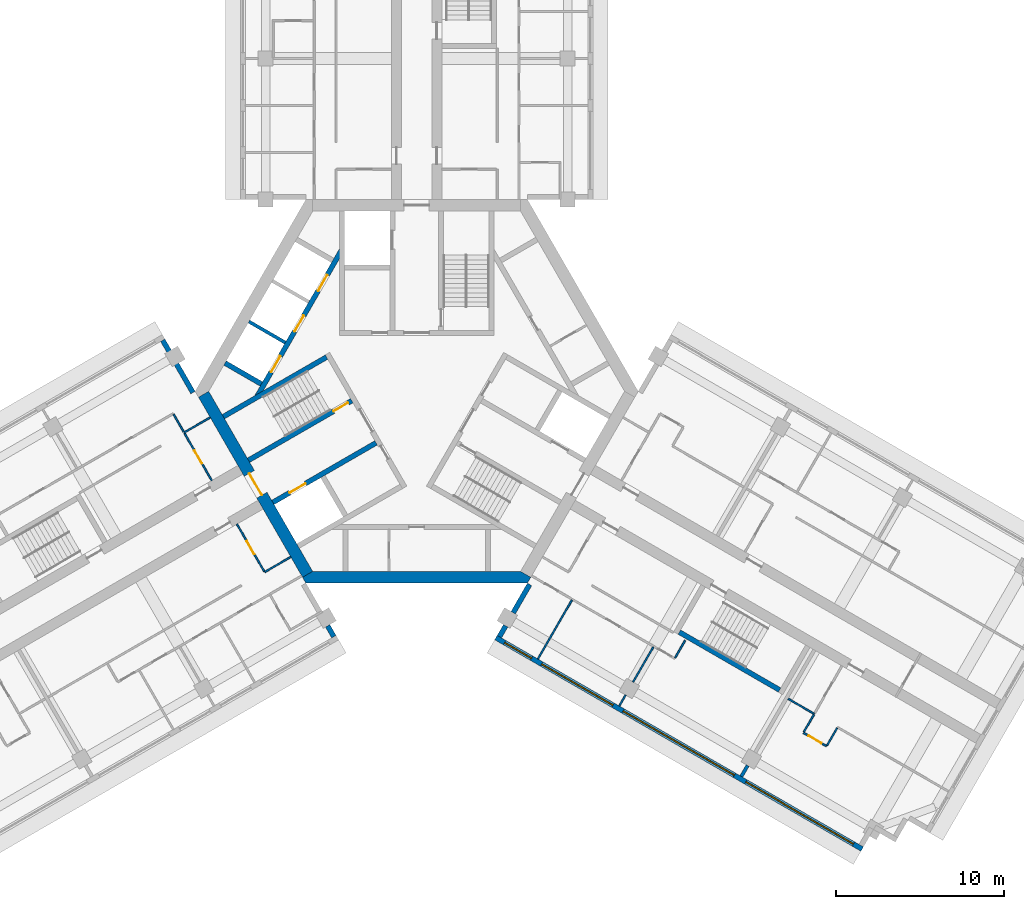
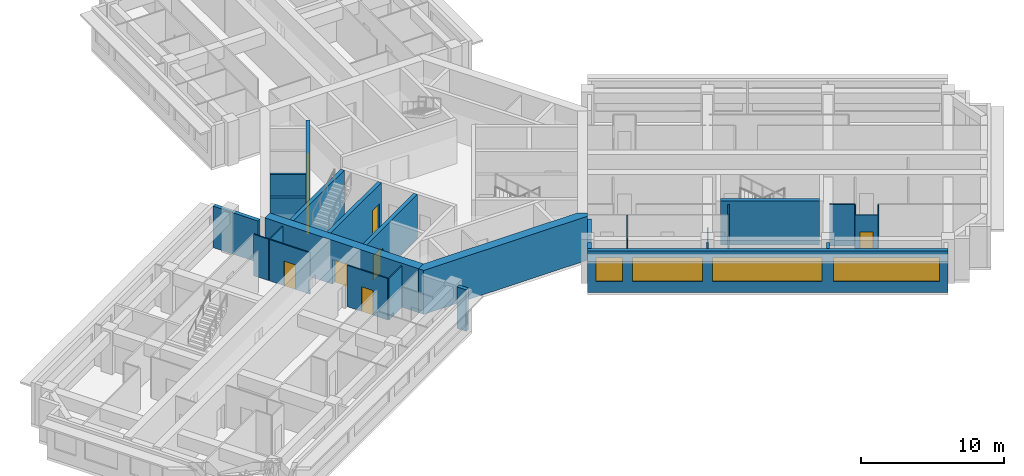
# One storey, part 4 of 10: 28 walls, 9 doors, 4 windows, 13 openings.
"""IFC4 building model written with IfcOpenShell, lengths in metres."""

import ifcopenshell
import ifcopenshell.guid

model = None  # the IFC model being written
_history = None  # IfcOwnerHistory: only IFC2X3 demands one
_inside = {}  # id of a spatial element -> (the spatial element, [elements in it])
_under = {}  # id of a project, library or spatial element -> (it, [spatial elements below it])
_declared = {}  # id of a project -> (the project, [libraries it declares])
_typed = {}  # id of a type object -> (the type object, [elements of that type])
_made_of = {}  # id of a material, layer set ... -> (it, [elements and type objects made of it])


def new_model(schema):
    """Start an empty IFC model of exactly this schema.

    Asked for "IFC4X3", IfcOpenShell would pick the latest addendum, in which some entities
    have other attributes; the version numbers below select the first issue.
    IFC2X3 requires an IfcOwnerHistory on every rooted entity: one is made here for all.
    """
    global model, _history
    if schema == "IFC4X3":
        model = ifcopenshell.file(schema_version=(4, 3, 0, 0))
    else:
        model = ifcopenshell.file(schema=schema)
    _inside.clear()
    _under.clear()
    _declared.clear()
    _typed.clear()
    _made_of.clear()
    _history = None
    if model.schema == "IFC2X3":
        org = make("IfcOrganization", Name="unknown")
        user = make(
            "IfcPersonAndOrganization",
            ThePerson=make("IfcPerson", FamilyName="unknown"),
            TheOrganization=org,
        )
        app = make(
            "IfcApplication",
            ApplicationDeveloper=org,
            Version="unknown",
            ApplicationFullName="unknown",
            ApplicationIdentifier="unknown",
        )
        _history = make(
            "IfcOwnerHistory",
            OwningUser=user,
            OwningApplication=app,
            ChangeAction="ADDED",
            CreationDate=0,
        )
    return model


def make(cls, **values):
    """One entity of the class cls with the attributes given. An attribute that is None is left unset."""
    return model.create_entity(
        cls, **{name: value for name, value in values.items() if value is not None}
    )


def rooted(cls, **values):
    """An entity with a GlobalId (a new one), such as an element, a storey or a relation."""
    return make(cls, GlobalId=ifcopenshell.guid.new(), OwnerHistory=_history, **values)


def si_unit(unit_type, name, prefix=None):
    """IfcSIUnit, for example si_unit("LENGTHUNIT", "METRE", prefix="MILLI")."""
    return make("IfcSIUnit", UnitType=unit_type, Prefix=prefix, Name=name)


def assignment(units):
    """IfcUnitAssignment: the units of a project."""
    return None if units is None else make("IfcUnitAssignment", Units=units)


def point(xyz):
    """IfcCartesianPoint."""
    return None if xyz is None else make("IfcCartesianPoint", Coordinates=xyz)


def direction(xyz):
    """IfcDirection."""
    return None if xyz is None else make("IfcDirection", DirectionRatios=xyz)


def frame(location, z_axis=None, x_axis=None):
    """IfcAxis2Placement3D, a coordinate frame: its origin and axes. An axis left out is left unset."""
    return make(
        "IfcAxis2Placement3D",
        Location=point(location),
        Axis=direction(z_axis),
        RefDirection=direction(x_axis),
    )


def frame_2d(location, x_axis=None):
    """IfcAxis2Placement2D, a coordinate frame in the plane: its origin and x axis."""
    return make(
        "IfcAxis2Placement2D", Location=point(location), RefDirection=direction(x_axis)
    )


def origin():
    """The frame at (0, 0, 0) with its axes left unset."""
    return frame((0.0, 0.0, 0.0))


def place(relative_to, where):
    """IfcLocalPlacement: puts the frame where relative to a parent placement (None: the world)."""
    return make(
        "IfcLocalPlacement", PlacementRelTo=relative_to, RelativePlacement=where
    )


def context(
    kind, dimensions, precision=None, world=None, true_north=None, identifier=None
):
    """IfcGeometricRepresentationContext, for example the 3D "Model" context."""
    return make(
        "IfcGeometricRepresentationContext",
        ContextIdentifier=identifier,
        ContextType=kind,
        CoordinateSpaceDimension=dimensions,
        Precision=precision,
        WorldCoordinateSystem=world,
        TrueNorth=true_north,
    )


def subcontext(parent, identifier, kind, view, scale=None):
    """IfcGeometricRepresentationSubContext, for example "Body" below "Model"."""
    return make(
        "IfcGeometricRepresentationSubContext",
        ContextIdentifier=identifier,
        ContextType=kind,
        ParentContext=parent,
        TargetScale=scale,
        TargetView=view,
    )


def project(units=None, contexts=None):
    """IfcProject with its units and contexts."""
    return rooted(
        "IfcProject",
        Name="project",
        RepresentationContexts=contexts,
        UnitsInContext=assignment(units),
    )


def spatial(cls, under=None, at=None, **own):
    """A site, building, storey or space (cls), placed at a placement, below another one or the project."""
    s = rooted(cls, ObjectPlacement=at, **own)
    if under is not None:
        _under.setdefault(under.id(), (under, []))[1].append(s)
    return s


def polyline(points):
    """IfcPolyline through the points."""
    return make("IfcPolyline", Points=[point(p) for p in points])


def profile(cls, at=None, kind="AREA", **sizes):
    """A parametric profile (cls). Its sizes go by their IFC names, for example OverallWidth=200.0."""
    return make(cls, ProfileType=kind, Position=at, **sizes)


def rectangle(**sizes):
    """IfcRectangleProfileDef."""
    return profile("IfcRectangleProfileDef", **sizes)


def outline(outer, holes=None, kind="AREA"):
    """IfcArbitraryClosedProfileDef: a profile drawn as a closed curve; with holes, ...WithVoids."""
    if holes is None:
        return make("IfcArbitraryClosedProfileDef", ProfileType=kind, OuterCurve=outer)
    return make(
        "IfcArbitraryProfileDefWithVoids",
        ProfileType=kind,
        OuterCurve=outer,
        InnerCurves=holes,
    )


def extrude(swept, where, along, depth):
    """IfcExtrudedAreaSolid: the profile swept, set in the frame where, extruded along a direction by depth."""
    return make(
        "IfcExtrudedAreaSolid",
        SweptArea=swept,
        Position=where,
        ExtrudedDirection=direction(along),
        Depth=depth,
    )


def shape(context_of_items, identifier, shape_type, items):
    """IfcShapeRepresentation: the items that make up one representation, for example the "Body"."""
    return make(
        "IfcShapeRepresentation",
        ContextOfItems=context_of_items,
        RepresentationIdentifier=identifier,
        RepresentationType=shape_type,
        Items=items,
    )


def material(Name=None, Category=None):
    """IfcMaterial."""
    return make("IfcMaterial", Name=Name, Category=Category)


def layer(
    of_material, thickness, ventilated=None, Name=None, Category=None, Priority=None
):
    """IfcMaterialLayer: one layer of a wall or slab, of a material (None: an air gap)."""
    return make(
        "IfcMaterialLayer",
        Material=of_material,
        LayerThickness=thickness,
        IsVentilated=ventilated,
        Name=Name,
        Category=Category,
        Priority=Priority,
    )


def layer_set(layers, Name=None):
    """IfcMaterialLayerSet."""
    return make("IfcMaterialLayerSet", MaterialLayers=layers, LayerSetName=Name)


def made_of(thing, what):
    """Note that an element or type object is made of a material, layer set ...; save() writes the relation."""
    if what is not None:
        _made_of.setdefault(what.id(), (what, []))[1].append(thing)
    return thing


def type_object(cls, material=None, **own):
    """A type object (cls), such as IfcWallType, which elements share."""
    return made_of(rooted(cls, **own), material)


def element(
    cls,
    number,
    at=None,
    inside=None,
    cuts=None,
    type_object=None,
    material=None,
    context=None,
    identifier="Body",
    shape_type=None,
    held_by="IfcProductDefinitionShape",
    body=None,
    shapes=None,
    **own,
):
    """One element of the class cls, such as IfcWall. Its Tag is "e" and its number.

    at: its placement. inside: the storey or other place that contains it. cuts: it is an
    opening in that element (IfcRelVoidsElement). A single representation is given by context,
    identifier, shape_type and body (its items); several are given by shapes. held_by: the class
    of the entity that holds the representations. save() writes the other relations.
    """
    e = rooted(cls, Tag="e%d" % number, ObjectPlacement=at, **own)
    if body is not None:
        shapes = [shape(context, identifier, shape_type, body)]
    if shapes is not None:
        e.Representation = make(held_by, Representations=shapes)
    if inside is not None:
        _inside.setdefault(inside.id(), (inside, []))[1].append(e)
    if cuts is not None:
        rooted(
            "IfcRelVoidsElement", RelatingBuildingElement=cuts, RelatedOpeningElement=e
        )
    if type_object is not None:
        _typed.setdefault(type_object.id(), (type_object, []))[1].append(e)
    return made_of(e, material)


def fill(opening, filler):
    """IfcRelFillsElement: the door or window that sits in an opening."""
    return rooted(
        "IfcRelFillsElement",
        RelatingOpeningElement=opening,
        RelatedBuildingElement=filler,
    )


def aggregate(whole, parts):
    """IfcRelAggregates: a whole, such as a stair, and the parts it consists of."""
    return rooted("IfcRelAggregates", RelatingObject=whole, RelatedObjects=parts)


def save(model, path):
    """Write the relations noted so far, then the file.

    IfcRelAggregates (storeys below a building ...), IfcRelContainedInSpatialStructure (elements
    in a storey), IfcRelDefinesByType, IfcRelAssociatesMaterial and IfcRelDeclares: one each for
    every whole, place, type object, material and project.
    """
    for whole, parts in _under.values():
        aggregate(whole, parts)
    for where, things in _inside.values():
        rooted(
            "IfcRelContainedInSpatialStructure",
            RelatedElements=things,
            RelatingStructure=where,
        )
    for kind, things in _typed.values():
        rooted("IfcRelDefinesByType", RelatedObjects=things, RelatingType=kind)
    for what, things in _made_of.values():
        rooted("IfcRelAssociatesMaterial", RelatedObjects=things, RelatingMaterial=what)
    for by, libraries in _declared.values():
        rooted("IfcRelDeclares", RelatingContext=by, RelatedDefinitions=libraries)
    model.write(path)


model = new_model("IFC4")

# Units and contexts
model_context = context("Model", 3, precision=1e-05, world=origin(), true_north=direction((0.0, 1.0)))
body_context = subcontext(model_context, "Body", "Model", "MODEL_VIEW")
ifc_project = project(units=[si_unit("LENGTHUNIT", "METRE"), si_unit("AREAUNIT", "SQUARE_METRE"), si_unit("VOLUMEUNIT", "CUBIC_METRE"), si_unit("PLANEANGLEUNIT", "RADIAN"), si_unit("MASSUNIT", "GRAM", prefix="KILO")], contexts=[model_context])

# Site, building, storey
site_placement = place(None, origin())
site = spatial("IfcSite", under=ifc_project, at=site_placement, CompositionType="ELEMENT")
building_placement = place(site_placement, origin())
building = spatial("IfcBuilding", under=site, at=building_placement, Name="Impinga Residences", CompositionType="ELEMENT")
storey_placement = place(building_placement, frame((0.0, 0.0, 196.0)))
storey = spatial("IfcBuildingStorey", under=building, at=storey_placement, Name="L48", CompositionType="ELEMENT", Elevation=196.0)

# Wall
ifc_material_1 = material(Name="Terracotta rainscreen on blockwork", Category="masonry")
ifc_layer_1 = layer(ifc_material_1, 0.300048828125)
ifc_layer_set_1 = layer_set([ifc_layer_1], Name="EW1 external wall, terracotta rainscreen on blockwork 300")
wall_type_1 = type_object("IfcWallType", Name="EW1 external wall, terracotta rainscreen on blockwork 300", PredefinedType="SOLIDWALL", material=ifc_layer_set_1)
wall_1_placement = place(storey_placement, frame((-15.1298828125, 3.042724609375, 0.0), z_axis=(0.0, 0.0, 1.0), x_axis=(0.500012057535, -0.866018442252, 0.0)))
element("IfcWall", 1, at=wall_1_placement, inside=storey, type_object=wall_type_1, Name="External wall EW1 L48", PredefinedType="SOLIDWALL", context=body_context, shape_type="SweptSolid", body=[
    extrude(rectangle(XDim=3.60009765625, YDim=0.300048828125, at=frame_2d((1.800048828125, 0.0))), origin(), (0.0, 0.0, 1.0), 3.530029296875),
])

# Wall, openings, windows
wall_2_placement = place(storey_placement, frame((26.548828125, -27.279052734375, 0.0), z_axis=(0.0, 0.0, 1.0), x_axis=(-0.866026832479, 0.499997525421, 0.0)))
wall_2 = element("IfcWall", 2, at=wall_2_placement, inside=storey, type_object=wall_type_1, Name="External wall EW1 L48", PredefinedType="SOLIDWALL", context=body_context, shape_type="SweptSolid", body=[
    extrude(rectangle(XDim=25.199951171875, YDim=0.300048828125, at=frame_2d((12.60009765625, 0.0))), origin(), (0.0, 0.0, 1.0), 3.530029296875),
])
opening_1_placement = place(wall_2_placement, frame((0.60009765625, 0.0, 0.89990234375)))
opening_1 = element("IfcOpeningElement", 3, at=opening_1_placement, cuts=wall_2, Name="Opening W12", PredefinedType="OPENING", context=body_context, shape_type="SweptSolid", body=[
    extrude(rectangle(XDim=7.39990234375, YDim=2.050048828125, at=frame_2d((3.699951171875, 1.02490234375))), frame((0.0, 0.159912109375, 0.0), z_axis=(0.0, -1.0, 0.0), x_axis=(1.0, 0.0, 0.0)), (0.0, 0.0, 1.0), 0.320068359375),
])
opening_2_placement = place(wall_2_placement, frame((8.800048828125, 0.0, 0.89990234375)))
opening_2 = element("IfcOpeningElement", 4, at=opening_2_placement, cuts=wall_2, Name="Opening W13", PredefinedType="OPENING", context=body_context, shape_type="SweptSolid", body=[
    extrude(rectangle(XDim=7.64990234375, YDim=2.050048828125, at=frame_2d((3.824951171875, 1.02490234375))), frame((0.0, 0.159912109375, 0.0), z_axis=(0.0, -1.0, 0.0), x_axis=(1.0, 0.0, 0.0)), (0.0, 0.0, 1.0), 0.320068359375),
])
opening_3_placement = place(wall_2_placement, frame((17.14990234375, 0.0, 0.89990234375)))
opening_3 = element("IfcOpeningElement", 5, at=opening_3_placement, cuts=wall_2, Name="Opening W16", PredefinedType="OPENING", context=body_context, shape_type="SweptSolid", body=[
    extrude(rectangle(XDim=4.89990234375, YDim=2.050048828125, at=frame_2d((2.449951171875, 1.02490234375))), frame((0.0, 0.159912109375, 0.0), z_axis=(0.0, -1.0, 0.0), x_axis=(1.0, 0.0, 0.0)), (0.0, 0.0, 1.0), 0.320068359375),
])
opening_4_placement = place(wall_2_placement, frame((22.75, 0.0, 0.89990234375)))
opening_4 = element("IfcOpeningElement", 6, at=opening_4_placement, cuts=wall_2, Name="Opening W15", PredefinedType="OPENING", context=body_context, shape_type="SweptSolid", body=[
    extrude(rectangle(XDim=1.85009765625, YDim=2.050048828125, at=frame_2d((0.925048828125, 1.02490234375))), frame((0.0, 0.159912109375, 0.0), z_axis=(0.0, -1.0, 0.0), x_axis=(1.0, 0.0, 0.0)), (0.0, 0.0, 1.0), 0.320068359375),
])
ifc_material_2 = material(Name="Aluminium window, clear double glazing", Category="aluminium")
window_type_1 = type_object("IfcWindowType", Name="W12 ribbon window 7400x2050", PartitioningType="SINGLE_PANEL", PredefinedType="WINDOW", material=ifc_material_2)
window_1_placement = place(opening_1_placement, origin())
window_1 = element("IfcWindow", 7, at=window_1_placement, inside=storey, type_object=window_type_1, Name="Window L48", OverallHeight=2.050048828125, OverallWidth=7.39990234375, PartitioningType="SINGLE_PANEL", PredefinedType="WINDOW", context=body_context, shape_type="SweptSolid", body=[
    extrude(rectangle(XDim=7.39990234375, YDim=2.050048828125, at=frame_2d((3.699951171875, 1.02490234375))), frame((0.0, 0.030029296875, 0.0), z_axis=(0.0, -1.0, 0.0), x_axis=(1.0, 0.0, 0.0)), (0.0, 0.0, 1.0), 0.06005859375),
])
fill(opening_1, window_1)
window_type_2 = type_object("IfcWindowType", Name="W13 ribbon window 7650x2050", PartitioningType="SINGLE_PANEL", PredefinedType="WINDOW", material=ifc_material_2)
window_2_placement = place(opening_2_placement, origin())
window_2 = element("IfcWindow", 8, at=window_2_placement, inside=storey, type_object=window_type_2, Name="Window L48", OverallHeight=2.050048828125, OverallWidth=7.64990234375, PartitioningType="SINGLE_PANEL", PredefinedType="WINDOW", context=body_context, shape_type="SweptSolid", body=[
    extrude(rectangle(XDim=7.64990234375, YDim=2.050048828125, at=frame_2d((3.824951171875, 1.02490234375))), frame((0.0, 0.030029296875, 0.0), z_axis=(0.0, -1.0, 0.0), x_axis=(1.0, 0.0, 0.0)), (0.0, 0.0, 1.0), 0.06005859375),
])
fill(opening_2, window_2)
window_type_3 = type_object("IfcWindowType", Name="W15 ribbon window 1850x2050", PartitioningType="SINGLE_PANEL", PredefinedType="WINDOW", material=ifc_material_2)
window_3_placement = place(opening_4_placement, origin())
window_3 = element("IfcWindow", 9, at=window_3_placement, inside=storey, type_object=window_type_3, Name="Window L48", OverallHeight=2.050048828125, OverallWidth=1.85009765625, PartitioningType="SINGLE_PANEL", PredefinedType="WINDOW", context=body_context, shape_type="SweptSolid", body=[
    extrude(rectangle(XDim=1.85009765625, YDim=2.050048828125, at=frame_2d((0.925048828125, 1.02490234375))), frame((0.0, 0.030029296875, 0.0), z_axis=(0.0, -1.0, 0.0), x_axis=(1.0, 0.0, 0.0)), (0.0, 0.0, 1.0), 0.06005859375),
])
fill(opening_4, window_3)
window_type_4 = type_object("IfcWindowType", Name="W16 ribbon window 4900x2050", PartitioningType="SINGLE_PANEL", PredefinedType="WINDOW", material=ifc_material_2)
window_4_placement = place(opening_3_placement, origin())
window_4 = element("IfcWindow", 10, at=window_4_placement, inside=storey, type_object=window_type_4, Name="Window L48", OverallHeight=2.050048828125, OverallWidth=4.89990234375, PartitioningType="SINGLE_PANEL", PredefinedType="WINDOW", context=body_context, shape_type="SweptSolid", body=[
    extrude(rectangle(XDim=4.89990234375, YDim=2.050048828125, at=frame_2d((2.449951171875, 1.02490234375))), frame((0.0, 0.030029296875, 0.0), z_axis=(0.0, -1.0, 0.0), x_axis=(1.0, 0.0, 0.0)), (0.0, 0.0, 1.0), 0.06005859375),
])
fill(opening_3, window_4)

# Walls
wall_3_placement = place(storey_placement, frame((4.929931640625, -14.624267578125, 0.0), z_axis=(0.0, 0.0, 1.0), x_axis=(0.499919672301, 0.866071776036, 0.0)))
element("IfcWall", 11, at=wall_3_placement, inside=storey, type_object=wall_type_1, Name="External wall EW1 L48", PredefinedType="SOLIDWALL", context=body_context, shape_type="SweptSolid", body=[
    extrude(rectangle(XDim=0.75, YDim=0.300048828125, at=frame_2d((0.375, 0.0))), origin(), (0.0, 0.0, 1.0), 3.530029296875),
])
wall_4_placement = place(storey_placement, frame((5.7548828125, -13.1953125, 0.0), z_axis=(0.0, 0.0, 1.0), x_axis=(0.500043961785, 0.866000020948, 0.0)))
element("IfcWall", 12, at=wall_4_placement, inside=storey, type_object=wall_type_1, Name="External wall EW1 L48", PredefinedType="SOLIDWALL", context=body_context, shape_type="SweptSolid", body=[
    extrude(rectangle(XDim=1.949951171875, YDim=0.300048828125, at=frame_2d((0.97509765625, 0.0))), origin(), (0.0, 0.0, 1.0), 3.530029296875),
])
wall_5_placement = place(storey_placement, frame((-5.304931640625, -13.974609375, 0.0), z_axis=(0.0, 0.0, 1.0), x_axis=(0.499919672301, -0.866071776036, 0.0)))
element("IfcWall", 13, at=wall_5_placement, inside=storey, type_object=wall_type_1, Name="External wall EW1 L48", PredefinedType="SOLIDWALL", context=body_context, shape_type="SweptSolid", body=[
    extrude(rectangle(XDim=0.75, YDim=0.300048828125, at=frame_2d((0.375, 0.0))), origin(), (0.0, 0.0, 1.0), 3.530029296875),
])
ifc_material_3 = material(Name="Gypsum board on steel studs", Category="steel")
ifc_layer_2 = layer(ifc_material_3, 0.10009765625)
ifc_layer_set_2 = layer_set([ifc_layer_2], Name="Gypsum board on steel studs")
wall_type_2 = type_object("IfcWallType", Name="IP1 partition 100", PredefinedType="PARTITIONING", material=ifc_layer_set_2)
wall_6_placement = place(storey_placement, frame((-7.5, -9.872802734375, 0.0), z_axis=(0.0, 0.0, 1.0), x_axis=(-0.866047807691, -0.499961193289, 0.0)))
element("IfcWall", 14, at=wall_6_placement, inside=storey, type_object=wall_type_2, Name="Partition L48-WA1:DIV0", PredefinedType="PARTITIONING", context=body_context, shape_type="SweptSolid", body=[
    extrude(rectangle(XDim=1.800048828125, YDim=0.10009765625, at=frame_2d((0.89990234375, 0.0))), origin(), (0.0, 0.0, 1.0), 3.530029296875),
])

# Wall, opening, door
wall_7_placement = place(storey_placement, frame((-10.708740234375, -7.914794921875, 0.0), z_axis=(0.0, 0.0, 1.0), x_axis=(0.499984717929, -0.866034226713, 0.0)))
wall_7 = element("IfcWall", 15, at=wall_7_placement, inside=storey, type_object=wall_type_2, Name="Partition L48-WA1:IB1", PredefinedType="PARTITIONING", context=body_context, shape_type="SweptSolid", body=[
    extrude(rectangle(XDim=3.25, YDim=0.10009765625, at=frame_2d((1.625, 0.0))), origin(), (0.0, 0.0, 1.0), 3.530029296875),
])
opening_5_placement = place(wall_7_placement, frame((1.175048828125, 0.0, 0.0)))
opening_5 = element("IfcOpeningElement", 16, at=opening_5_placement, cuts=wall_7, Name="Opening D2", PredefinedType="OPENING", context=body_context, shape_type="SweptSolid", body=[
    extrude(rectangle(XDim=0.89990234375, YDim=2.10009765625, at=frame_2d((0.449951171875, 1.050048828125))), frame((0.0, 0.06005859375, 0.0), z_axis=(0.0, -1.0, 0.0), x_axis=(1.0, 0.0, 0.0)), (0.0, 0.0, 1.0), 0.1201171875),
])
ifc_material_4 = material(Name="Timber door set", Category="wood")
door_type_1 = type_object("IfcDoorType", Name="D2 internal door 900x2100", OperationType="SINGLE_SWING_LEFT", PredefinedType="DOOR", material=ifc_material_4)
door_1_placement = place(opening_5_placement, origin())
door_1 = element("IfcDoor", 17, at=door_1_placement, inside=storey, type_object=door_type_1, Name="Apartment L48-WA1 bathroom door", OperationType="SINGLE_SWING_LEFT", OverallHeight=2.10009765625, OverallWidth=0.89990234375, PredefinedType="DOOR", context=body_context, shape_type="SweptSolid", body=[
    extrude(rectangle(XDim=0.89990234375, YDim=2.10009765625, at=frame_2d((0.449951171875, 1.050048828125))), frame((0.0, 0.02490234375, 0.0), z_axis=(0.0, -1.0, 0.0), x_axis=(1.0, 0.0, 0.0)), (0.0, 0.0, 1.0), 0.050048828125),
])
fill(opening_5, door_1)

# Walls
wall_8_placement = place(storey_placement, frame((-12.300048828125, -1.558837890625, 0.0), z_axis=(0.0, 0.0, 1.0), x_axis=(-0.866047807691, -0.499961193289, 0.0)))
element("IfcWall", 18, at=wall_8_placement, inside=storey, type_object=wall_type_2, Name="Partition L48-WF1:DIV0", PredefinedType="PARTITIONING", context=body_context, shape_type="SweptSolid", body=[
    extrude(rectangle(XDim=1.800048828125, YDim=0.10009765625, at=frame_2d((0.89990234375, 0.0))), origin(), (0.0, 0.0, 1.0), 3.530029296875),
])
wall_9_placement = place(storey_placement, frame((-13.8837890625, -2.41552734375, 0.0), z_axis=(0.0, 0.0, 1.0), x_axis=(-0.500033551112, 0.866006032174, 0.0)))
element("IfcWall", 19, at=wall_9_placement, inside=storey, type_object=wall_type_2, Name="Partition L48-WF1:SE0", PredefinedType="PARTITIONING", context=body_context, shape_type="SweptSolid", body=[
    extrude(rectangle(XDim=1.2001953125, YDim=0.10009765625, at=frame_2d((0.60009765625, 0.0))), origin(), (0.0, 0.0, 1.0), 3.530029296875),
])

# Wall, opening, door
wall_10_placement = place(storey_placement, frame((-12.208740234375, -5.316650390625, 0.0), z_axis=(0.0, 0.0, 1.0), x_axis=(-0.500017246033, 0.866015446554, 0.0)))
wall_10 = element("IfcWall", 20, at=wall_10_placement, inside=storey, type_object=wall_type_2, Name="Partition L48-WF1:IB1", PredefinedType="PARTITIONING", context=body_context, shape_type="SweptSolid", body=[
    extrude(rectangle(XDim=3.25, YDim=0.10009765625, at=frame_2d((1.625, 0.0))), origin(), (0.0, 0.0, 1.0), 3.530029296875),
])
opening_6_placement = place(wall_10_placement, frame((1.175048828125, 0.0, 0.0)))
opening_6 = element("IfcOpeningElement", 21, at=opening_6_placement, cuts=wall_10, Name="Opening D2", PredefinedType="OPENING", context=body_context, shape_type="SweptSolid", body=[
    extrude(rectangle(XDim=0.89990234375, YDim=2.10009765625, at=frame_2d((0.449951171875, 1.050048828125))), frame((0.0, 0.06005859375, 0.0), z_axis=(0.0, -1.0, 0.0), x_axis=(1.0, 0.0, 0.0)), (0.0, 0.0, 1.0), 0.1201171875),
])
door_2_placement = place(opening_6_placement, origin())
door_2 = element("IfcDoor", 22, at=door_2_placement, inside=storey, type_object=door_type_1, Name="Apartment L48-WF1 bathroom door", OperationType="SINGLE_SWING_LEFT", OverallHeight=2.10009765625, OverallWidth=0.89990234375, PredefinedType="DOOR", context=body_context, shape_type="SweptSolid", body=[
    extrude(rectangle(XDim=0.89990234375, YDim=2.10009765625, at=frame_2d((0.449951171875, 1.050048828125))), frame((0.0, 0.02490234375, 0.0), z_axis=(0.0, -1.0, 0.0), x_axis=(1.0, 0.0, 0.0)), (0.0, 0.0, 1.0), 0.050048828125),
])
fill(opening_6, door_2)

# Walls
wall_11_placement = place(storey_placement, frame((16.00537109375, -14.841064453125, 0.0), z_axis=(0.0, 0.0, 1.0), x_axis=(-0.50012165622, -0.865955154139, 0.0)))
element("IfcWall", 23, at=wall_11_placement, inside=storey, type_object=wall_type_2, Name="Partition L48-EF1:SE1", PredefinedType="PARTITIONING", context=body_context, shape_type="SweptSolid", body=[
    extrude(rectangle(XDim=1.199951171875, YDim=0.10009765625, at=frame_2d((0.60009765625, 0.0))), origin(), (0.0, 0.0, 1.0), 3.530029296875),
])
wall_12_placement = place(storey_placement, frame((9.249755859375, -12.44189453125, 0.0), z_axis=(0.0, 0.0, 1.0), x_axis=(-0.499990325971, -0.866030989016, 0.0)))
element("IfcWall", 24, at=wall_12_placement, inside=storey, type_object=wall_type_2, Name="Partition L48-EF1:OB1", PredefinedType="PARTITIONING", context=body_context, shape_type="SweptSolid", body=[
    extrude(rectangle(XDim=4.0498046875, YDim=0.10009765625, at=frame_2d((2.02490234375, 0.0))), origin(), (0.0, 0.0, 1.0), 3.530029296875),
])
wall_13_placement = place(storey_placement, frame((14.099609375, -15.241943359375, 0.0), z_axis=(0.0, 0.0, 1.0), x_axis=(-0.500001309137, -0.866024647952, 0.0)))
element("IfcWall", 25, at=wall_13_placement, inside=storey, type_object=wall_type_2, Name="Partition L48-EF1:OB2", PredefinedType="PARTITIONING", context=body_context, shape_type="SweptSolid", body=[
    extrude(rectangle(XDim=2.39990234375, YDim=0.10009765625, at=frame_2d((1.199951171875, 0.0))), origin(), (0.0, 0.0, 1.0), 2.47998046875),
])
wall_14_placement = place(storey_placement, frame((12.44970703125, -18.099609375, 0.0), z_axis=(0.0, 0.0, 1.0), x_axis=(-0.499919672301, -0.866071776036, 0.0)))
element("IfcWall", 26, at=wall_14_placement, inside=storey, type_object=wall_type_2, Name="Partition L48-EF1:OB2b", PredefinedType="PARTITIONING", context=body_context, shape_type="SweptSolid", body=[
    extrude(rectangle(XDim=0.75, YDim=0.10009765625, at=frame_2d((0.375, 0.0))), origin(), (0.0, 0.0, 1.0), 3.530029296875),
])
wall_15_placement = place(storey_placement, frame((22.1357421875, -18.32275390625, 0.0), z_axis=(0.0, 0.0, 1.0), x_axis=(0.866047807691, -0.499961193289, 0.0)))
element("IfcWall", 27, at=wall_15_placement, inside=storey, type_object=wall_type_2, Name="Partition L48-EF2:DIV0", PredefinedType="PARTITIONING", context=body_context, shape_type="SweptSolid", body=[
    extrude(rectangle(XDim=1.800048828125, YDim=0.10009765625, at=frame_2d((0.89990234375, 0.0))), origin(), (0.0, 0.0, 1.0), 3.530029296875),
])

# Wall, opening, door
wall_16_placement = place(storey_placement, frame((23.044677734375, -20.3486328125, 0.0), z_axis=(0.0, 0.0, 1.0), x_axis=(0.866094119867, -0.499880961361, 0.0)))
wall_16 = element("IfcWall", 28, at=wall_16_placement, inside=storey, type_object=wall_type_2, Name="Partition L48-EF2:STRIP", PredefinedType="PARTITIONING", context=body_context, shape_type="SweptSolid", body=[
    extrude(rectangle(XDim=1.60009765625, YDim=0.10009765625, at=frame_2d((0.800048828125, 0.0))), origin(), (0.0, 0.0, 1.0), 3.530029296875),
])
opening_7_placement = place(wall_16_placement, frame((0.35009765625, 0.0, 0.0)))
opening_7 = element("IfcOpeningElement", 29, at=opening_7_placement, cuts=wall_16, Name="Opening D2", PredefinedType="OPENING", context=body_context, shape_type="SweptSolid", body=[
    extrude(rectangle(XDim=0.89990234375, YDim=2.10009765625, at=frame_2d((0.449951171875, 1.050048828125))), frame((0.0, 0.06005859375, 0.0), z_axis=(0.0, -1.0, 0.0), x_axis=(1.0, 0.0, 0.0)), (0.0, 0.0, 1.0), 0.1201171875),
])
door_3_placement = place(opening_7_placement, origin())
door_3 = element("IfcDoor", 30, at=door_3_placement, inside=storey, type_object=door_type_1, Name="Apartment L48-EF2 room door", OperationType="SINGLE_SWING_LEFT", OverallHeight=2.10009765625, OverallWidth=0.89990234375, PredefinedType="DOOR", context=body_context, shape_type="SweptSolid", body=[
    extrude(rectangle(XDim=0.89990234375, YDim=2.10009765625, at=frame_2d((0.449951171875, 1.050048828125))), frame((0.0, 0.02490234375, 0.0), z_axis=(0.0, -1.0, 0.0), x_axis=(1.0, 0.0, 0.0)), (0.0, 0.0, 1.0), 0.050048828125),
])
fill(opening_7, door_3)

# Walls
for number, where, z_axis, x_axis, name in (
    (31, (23.669677734375, -19.265869140625, 0.0), (0.0, 0.0, 1.0), (-0.500033551112, -0.866006032174, 0.0), "Partition L48-EF2:SE0"),
    (32, (25.055419921875, -20.06591796875, 0.0), (0.0, 0.0, 1.0), (-0.500033551112, -0.866006032174, 0.0), "Partition L48-EF2:SE1"),
):
    element("IfcWall", number, at=place(storey_placement, frame(where, z_axis=z_axis, x_axis=x_axis)), inside=storey, type_object=wall_type_2, Name=name, PredefinedType="PARTITIONING", context=body_context, shape_type="SweptSolid", body=[
        extrude(rectangle(XDim=1.2001953125, YDim=0.10009765625, at=frame_2d((0.60009765625, 0.0))), origin(), (0.0, 0.0, 1.0), 3.530029296875),
    ])
ifc_material_5 = material(Name="Concrete blockwork", Category="masonry")
ifc_layer_3 = layer(ifc_material_5, 0.199951171875)
ifc_layer_set_3 = layer_set([ifc_layer_3], Name="PW1 party wall between apartments 200")
wall_type_3 = type_object("IfcWallType", Name="PW1 party wall between apartments 200", PredefinedType="SOLIDWALL", material=ifc_layer_set_3)
wall_17_placement = place(storey_placement, frame((19.72412109375, -22.2998046875, 0.0), z_axis=(0.0, 0.0, 1.0), x_axis=(-0.500060622324, -0.86599040064, 0.0)))
element("IfcWall", 33, at=wall_17_placement, inside=storey, type_object=wall_type_3, Name="Party wall between apartments L48-EF1:PARTYb", PredefinedType="SOLIDWALL", context=body_context, shape_type="SweptSolid", body=[
    extrude(rectangle(XDim=0.75, YDim=0.199951171875, at=frame_2d((0.375, 0.0))), origin(), (0.0, 0.0, 1.0), 3.530029296875),
])
ifc_material_6 = material(Name="Concrete C60/75", Category="concrete")
ifc_layer_4 = layer(ifc_material_6, 0.300048828125)
ifc_layer_set_4 = layer_set([ifc_layer_4], Name="Concrete C60/75")
wall_type_4 = type_object("IfcWallType", Name="SE1 wing stair enclosure wall 300", PredefinedType="SOLIDWALL", material=ifc_layer_set_4)
wall_18_placement = place(storey_placement, frame((15.654052734375, -14.349365234375, 0.0), z_axis=(0.0, 0.0, 1.0), x_axis=(0.866013532718, -0.500020560727, 0.0)))
element("IfcWall", 34, at=wall_18_placement, inside=storey, type_object=wall_type_4, Name="Stair enclosure wall SE1 E OUT L48", PredefinedType="SOLIDWALL", context=body_context, shape_type="SweptSolid", body=[
    extrude(rectangle(XDim=6.900146484375, YDim=0.300048828125, at=frame_2d((3.4501953125, 0.0))), origin(), (0.0, 0.0, 1.0), 3.75),
])

# Wall, opening, door
ifc_layer_5 = layer(ifc_material_6, 0.699951171875)
ifc_layer_set_5 = layer_set([ifc_layer_5], Name="Concrete C60/75")
wall_type_5 = type_object("IfcWallType", Name="SW3 core wall 700", PredefinedType="SHEAR", material=ifc_layer_set_5)
wall_19_placement = place(storey_placement, frame((-6.4990234375, -10.906494140625, 0.0), z_axis=(0.0, 0.0, 1.0), x_axis=(-0.499999875397, 0.866025475724, 0.0)))
wall_19 = element("IfcWall", 35, at=wall_19_placement, inside=storey, type_object=wall_type_5, Name="Core wall SW3 W:FACE L48", PredefinedType="SHEAR", context=body_context, shape_type="SweptSolid", body=[
    extrude(rectangle(XDim=12.3916015625, YDim=0.699951171875, at=frame_2d((6.19580078125, 0.0))), origin(), (0.0, 0.0, 1.0), 3.75),
])
opening_8_placement = place(wall_19_placement, frame((5.44580078125, 0.0, 0.0)))
opening_8 = element("IfcOpeningElement", 36, at=opening_8_placement, cuts=wall_19, Name="Opening D4", PredefinedType="OPENING", context=body_context, shape_type="SweptSolid", body=[
    extrude(rectangle(XDim=1.5, YDim=2.10009765625, at=frame_2d((0.75, 1.050048828125))), frame((0.0, 0.35986328125, 0.0), z_axis=(0.0, -1.0, 0.0), x_axis=(1.0, 0.0, 0.0)), (0.0, 0.0, 1.0), 0.719970703125),
])
door_type_2 = type_object("IfcDoorType", Name="D4 lobby door pair 1500x2100", OperationType="DOUBLE_DOOR_DOUBLE_SWING", PredefinedType="DOOR", material=ifc_material_4)
door_4_placement = place(opening_8_placement, origin())
door_4 = element("IfcDoor", 37, at=door_4_placement, inside=storey, type_object=door_type_2, Name="Lobby door W", OperationType="DOUBLE_DOOR_DOUBLE_SWING", OverallHeight=2.10009765625, OverallWidth=1.5, PredefinedType="DOOR", context=body_context, shape_type="SweptSolid", body=[
    extrude(rectangle(XDim=1.5, YDim=2.10009765625, at=frame_2d((0.75, 1.050048828125))), frame((0.0, 0.02490234375, 0.0), z_axis=(0.0, -1.0, 0.0), x_axis=(1.0, 0.0, 0.0)), (0.0, 0.0, 1.0), 0.050048828125),
])
fill(opening_8, door_4)

# Wall
wall_20_placement = place(storey_placement, origin())
element("IfcWall", 38, at=wall_20_placement, inside=storey, type_object=wall_type_5, Name="Core wall SW3 N:EXPOSED L48", PredefinedType="SHEAR", context=body_context, shape_type="SweptSolid", body=[
    extrude(outline(polyline([(-6.60009765625, -11.431640625), (6.60009765625, -11.431640625), (6.802001953125, -11.08154296875), (6.19580078125, -10.7314453125), (-6.19580078125, -10.7314453125), (-6.802001953125, -11.08154296875), (-6.60009765625, -11.431640625)])), origin(), (0.0, 0.0, 1.0), 3.75),
])

# Wall, opening, door
ifc_material_7 = material(Name="Concrete C70/85", Category="concrete")
ifc_layer_6 = layer(ifc_material_7, 0.300048828125)
ifc_layer_set_6 = layer_set([ifc_layer_6], Name="Concrete C70/85")
wall_type_6 = type_object("IfcWallType", Name="SW5 core inner wall, stairs, shafts and lobbies 300", PredefinedType="SHEAR", material=ifc_layer_set_6)
wall_21_placement = place(storey_placement, frame((-3.86865234375, -0.559326171875, 0.0), z_axis=(0.0, 0.0, 1.0), x_axis=(-0.866025859768, -0.499999210213, 0.0)))
wall_21 = element("IfcWall", 39, at=wall_21_placement, inside=storey, type_object=wall_type_6, Name="Core wall SW5 W:ST-IN L48", PredefinedType="SHEAR", context=body_context, shape_type="SweptSolid", body=[
    extrude(rectangle(XDim=7.1015625, YDim=0.300048828125, at=frame_2d((3.55078125, 0.0))), origin(), (0.0, 0.0, 1.0), 3.75),
])
opening_9_placement = place(wall_21_placement, frame((0.25, 0.0, 0.0)))
opening_9 = element("IfcOpeningElement", 40, at=opening_9_placement, cuts=wall_21, Name="Opening D5", PredefinedType="OPENING", context=body_context, shape_type="SweptSolid", body=[
    extrude(rectangle(XDim=1.0, YDim=2.10009765625, at=frame_2d((0.5, 1.050048828125))), frame((0.0, 0.159912109375, 0.0), z_axis=(0.0, -1.0, 0.0), x_axis=(1.0, 0.0, 0.0)), (0.0, 0.0, 1.0), 0.320068359375),
])
door_type_3 = type_object("IfcDoorType", Name="D5 stair door 1000x2100", OperationType="SINGLE_SWING_LEFT", PredefinedType="DOOR", material=ifc_material_4)
door_5_placement = place(opening_9_placement, origin())
door_5 = element("IfcDoor", 41, at=door_5_placement, inside=storey, type_object=door_type_3, Name="Stair door W", OperationType="SINGLE_SWING_LEFT", OverallHeight=2.10009765625, OverallWidth=1.0, PredefinedType="DOOR", context=body_context, shape_type="SweptSolid", body=[
    extrude(rectangle(XDim=1.0, YDim=2.10009765625, at=frame_2d((0.5, 1.050048828125))), frame((0.0, 0.02490234375, 0.0), z_axis=(0.0, -1.0, 0.0), x_axis=(1.0, 0.0, 0.0)), (0.0, 0.0, 1.0), 0.050048828125),
])
fill(opening_9, door_5)

# Wall
wall_22_placement = place(storey_placement, frame((-5.36865234375, 2.038818359375, 0.0), z_axis=(0.0, 0.0, 1.0), x_axis=(-0.866025859768, -0.499999210213, 0.0)))
element("IfcWall", 42, at=wall_22_placement, inside=storey, type_object=wall_type_6, Name="Core wall SW5 W:ST-OUT L48", PredefinedType="SHEAR", context=body_context, shape_type="SweptSolid", body=[
    extrude(rectangle(XDim=7.1015625, YDim=0.300048828125, at=frame_2d((3.55078125, 0.0))), origin(), (0.0, 0.0, 1.0), 3.75),
])

# Wall, opening, door
wall_23_placement = place(storey_placement, frame((-2.418701171875, -3.07080078125, 0.0), z_axis=(0.0, 0.0, 1.0), x_axis=(-0.866025859768, -0.499999210213, 0.0)))
wall_23 = element("IfcWall", 43, at=wall_23_placement, inside=storey, type_object=wall_type_6, Name="Core wall SW5 W:FF-IN L48", PredefinedType="SHEAR", context=body_context, shape_type="SweptSolid", body=[
    extrude(rectangle(XDim=7.1015625, YDim=0.300048828125, at=frame_2d((3.55078125, 0.0))), origin(), (0.0, 0.0, 1.0), 3.75),
])
opening_10_placement = place(wall_23_placement, frame((4.85009765625, 0.0, 0.0)))
opening_10 = element("IfcOpeningElement", 44, at=opening_10_placement, cuts=wall_23, Name="Opening LD2", PredefinedType="OPENING", context=body_context, shape_type="SweptSolid", body=[
    extrude(rectangle(XDim=1.10009765625, YDim=2.10009765625, at=frame_2d((0.550048828125, 1.050048828125))), frame((0.0, 0.159912109375, 0.0), z_axis=(0.0, -1.0, 0.0), x_axis=(1.0, 0.0, 0.0)), (0.0, 0.0, 1.0), 0.320068359375),
])
ifc_material_8 = material(Name="Steel lift landing door", Category="steel")
door_type_4 = type_object("IfcDoorType", Name="LD2 firefighting lift landing door 1100x2100", OperationType="DOUBLE_DOOR_SLIDING", PredefinedType="DOOR", material=ifc_material_8)
door_6_placement = place(opening_10_placement, origin())
door_6 = element("IfcDoor", 45, at=door_6_placement, inside=storey, type_object=door_type_4, Name="Firefighting lift landing door F2", OperationType="DOUBLE_DOOR_SLIDING", OverallHeight=2.10009765625, OverallWidth=1.10009765625, PredefinedType="DOOR", context=body_context, shape_type="SweptSolid", body=[
    extrude(rectangle(XDim=1.10009765625, YDim=2.10009765625, at=frame_2d((0.550048828125, 1.050048828125))), frame((0.0, 0.02490234375, 0.0), z_axis=(0.0, -1.0, 0.0), x_axis=(1.0, 0.0, 0.0)), (0.0, 0.0, 1.0), 0.050048828125),
])
fill(opening_10, door_6)

# Wall, openings, doors
wall_24_placement = place(storey_placement, frame((-9.547607421875, -0.3740234375, 0.0), z_axis=(0.0, 0.0, 1.0), x_axis=(0.500002290144, 0.866024081565, 0.0)))
wall_24 = element("IfcWall", 46, at=wall_24_placement, inside=storey, type_object=wall_type_6, Name="Core wall SW5 E:BANK-FRONT L48", PredefinedType="SHEAR", context=body_context, shape_type="SweptSolid", body=[
    extrude(rectangle(XDim=10.1953125, YDim=0.300048828125, at=frame_2d((5.09765625, 0.0))), origin(), (0.0, 0.0, 1.0), 3.75),
])
opening_11_placement = place(wall_24_placement, frame((1.74755859375, 0.0, 0.0)))
opening_11 = element("IfcOpeningElement", 47, at=opening_11_placement, cuts=wall_24, Name="Opening LD1", PredefinedType="OPENING", context=body_context, shape_type="SweptSolid", body=[
    extrude(rectangle(XDim=1.10009765625, YDim=2.10009765625, at=frame_2d((0.550048828125, 1.050048828125))), frame((0.0, 0.159912109375, 0.0), z_axis=(0.0, -1.0, 0.0), x_axis=(1.0, 0.0, 0.0)), (0.0, 0.0, 1.0), 0.320068359375),
])
opening_12_placement = place(wall_24_placement, frame((4.547607421875, 0.0, 0.0)))
opening_12 = element("IfcOpeningElement", 48, at=opening_12_placement, cuts=wall_24, Name="Opening LD1", PredefinedType="OPENING", context=body_context, shape_type="SweptSolid", body=[
    extrude(rectangle(XDim=1.10009765625, YDim=2.10009765625, at=frame_2d((0.550048828125, 1.050048828125))), frame((0.0, 0.159912109375, 0.0), z_axis=(0.0, -1.0, 0.0), x_axis=(1.0, 0.0, 0.0)), (0.0, 0.0, 1.0), 0.320068359375),
])
opening_13_placement = place(wall_24_placement, frame((7.34765625, 0.0, 0.0)))
opening_13 = element("IfcOpeningElement", 49, at=opening_13_placement, cuts=wall_24, Name="Opening LD1", PredefinedType="OPENING", context=body_context, shape_type="SweptSolid", body=[
    extrude(rectangle(XDim=1.10009765625, YDim=2.10009765625, at=frame_2d((0.550048828125, 1.050048828125))), frame((0.0, 0.159912109375, 0.0), z_axis=(0.0, -1.0, 0.0), x_axis=(1.0, 0.0, 0.0)), (0.0, 0.0, 1.0), 0.320068359375),
])
door_type_5 = type_object("IfcDoorType", Name="LD1 passenger lift landing door 1100x2100", OperationType="DOUBLE_DOOR_SLIDING", PredefinedType="DOOR", material=ifc_material_8)
door_7_placement = place(opening_11_placement, origin())
door_7 = element("IfcDoor", 50, at=door_7_placement, inside=storey, type_object=door_type_5, Name="Lift landing door P7", OperationType="DOUBLE_DOOR_SLIDING", OverallHeight=2.10009765625, OverallWidth=1.10009765625, PredefinedType="DOOR", context=body_context, shape_type="SweptSolid", body=[
    extrude(rectangle(XDim=1.10009765625, YDim=2.10009765625, at=frame_2d((0.550048828125, 1.050048828125))), frame((0.0, 0.02490234375, 0.0), z_axis=(0.0, -1.0, 0.0), x_axis=(1.0, 0.0, 0.0)), (0.0, 0.0, 1.0), 0.050048828125),
])
fill(opening_11, door_7)
door_8_placement = place(opening_12_placement, origin())
door_8 = element("IfcDoor", 51, at=door_8_placement, inside=storey, type_object=door_type_5, Name="Lift landing door P8", OperationType="DOUBLE_DOOR_SLIDING", OverallHeight=2.10009765625, OverallWidth=1.10009765625, PredefinedType="DOOR", context=body_context, shape_type="SweptSolid", body=[
    extrude(rectangle(XDim=1.10009765625, YDim=2.10009765625, at=frame_2d((0.550048828125, 1.050048828125))), frame((0.0, 0.02490234375, 0.0), z_axis=(0.0, -1.0, 0.0), x_axis=(1.0, 0.0, 0.0)), (0.0, 0.0, 1.0), 0.050048828125),
])
fill(opening_12, door_8)
door_9_placement = place(opening_13_placement, origin())
door_9 = element("IfcDoor", 52, at=door_9_placement, inside=storey, type_object=door_type_5, Name="Lift landing door P9", OperationType="DOUBLE_DOOR_SLIDING", OverallHeight=2.10009765625, OverallWidth=1.10009765625, PredefinedType="DOOR", context=body_context, shape_type="SweptSolid", body=[
    extrude(rectangle(XDim=1.10009765625, YDim=2.10009765625, at=frame_2d((0.550048828125, 1.050048828125))), frame((0.0, 0.02490234375, 0.0), z_axis=(0.0, -1.0, 0.0), x_axis=(1.0, 0.0, 0.0)), (0.0, 0.0, 1.0), 0.050048828125),
])
fill(opening_13, door_9)

# Walls
wall_25_placement = place(storey_placement, frame((-9.253662109375, 0.43505859375, 0.0), z_axis=(0.0, 0.0, 1.0), x_axis=(-0.866022959057, 0.500004234368, 0.0)))
element("IfcWall", 53, at=wall_25_placement, inside=storey, type_object=wall_type_6, Name="Core wall SW5 E:BANK-L L48", PredefinedType="SHEAR", context=body_context, shape_type="SweptSolid", body=[
    extrude(rectangle(XDim=2.5, YDim=0.300048828125, at=frame_2d((1.25, 0.0))), origin(), (0.0, 0.0, 1.0), 3.75),
])
ifc_layer_7 = layer(ifc_material_7, 0.199951171875)
ifc_layer_set_7 = layer_set([ifc_layer_7], Name="Concrete C70/85")
wall_type_7 = type_object("IfcWallType", Name="SW6 lift shaft divider wall 200", PredefinedType="SHEAR", material=ifc_layer_set_7)
wall_26_placement = place(storey_placement, frame((-7.82861328125, 2.9033203125, 0.0), z_axis=(0.0, 0.0, 1.0), x_axis=(-0.866047370643, 0.499961950354, 0.0)))
element("IfcWall", 54, at=wall_26_placement, inside=storey, type_object=wall_type_7, Name="Core wall SW6 E:BANK-D1 L48", PredefinedType="SHEAR", context=body_context, shape_type="SweptSolid", body=[
    extrude(rectangle(XDim=2.500244140625, YDim=0.199951171875, at=frame_2d((1.25, 0.0))), origin(), (0.0, 0.0, 1.0), 3.75),
])

save(model, "model.ifc")
